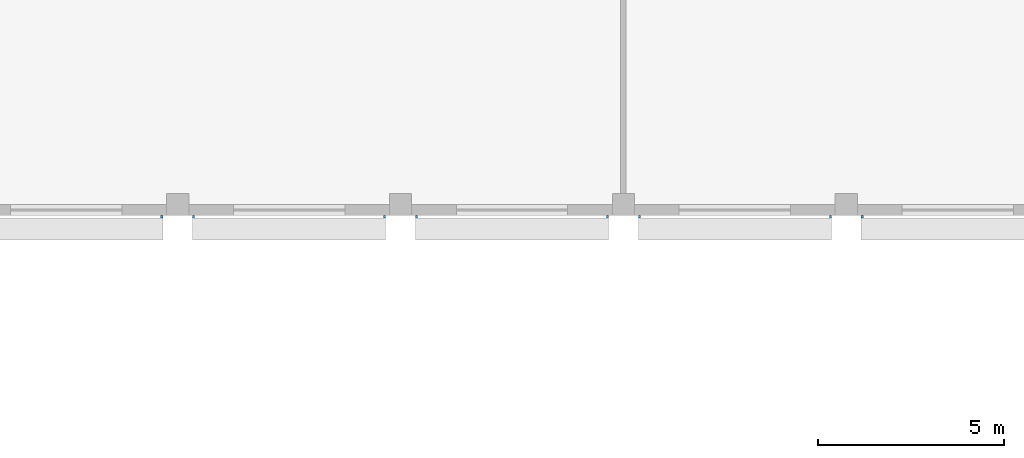
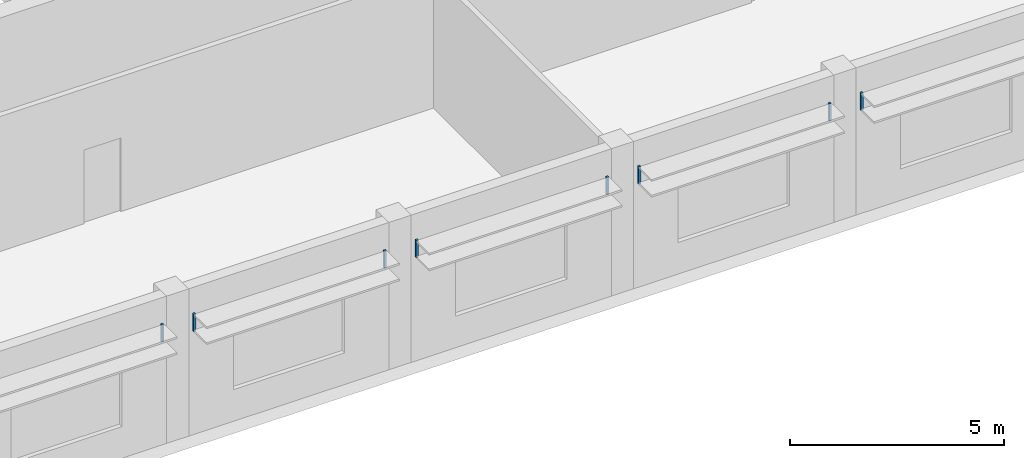
# One storey, part 36 of 47: 8 discrete accessories.
"""IFC4 building model written with IfcOpenShell, lengths in metres."""

import ifcopenshell
import ifcopenshell.guid

model = None  # the IFC model being written
_history = None  # IfcOwnerHistory: only IFC2X3 demands one
_inside = {}  # id of a spatial element -> (the spatial element, [elements in it])
_under = {}  # id of a project, library or spatial element -> (it, [spatial elements below it])
_declared = {}  # id of a project -> (the project, [libraries it declares])
_typed = {}  # id of a type object -> (the type object, [elements of that type])
_made_of = {}  # id of a material, layer set ... -> (it, [elements and type objects made of it])


def new_model(schema):
    """Start an empty IFC model of exactly this schema.

    Asked for "IFC4X3", IfcOpenShell would pick the latest addendum, in which some entities
    have other attributes; the version numbers below select the first issue.
    IFC2X3 requires an IfcOwnerHistory on every rooted entity: one is made here for all.
    """
    global model, _history
    if schema == "IFC4X3":
        model = ifcopenshell.file(schema_version=(4, 3, 0, 0))
    else:
        model = ifcopenshell.file(schema=schema)
    _inside.clear()
    _under.clear()
    _declared.clear()
    _typed.clear()
    _made_of.clear()
    _history = None
    if model.schema == "IFC2X3":
        org = make("IfcOrganization", Name="unknown")
        user = make(
            "IfcPersonAndOrganization",
            ThePerson=make("IfcPerson", FamilyName="unknown"),
            TheOrganization=org,
        )
        app = make(
            "IfcApplication",
            ApplicationDeveloper=org,
            Version="unknown",
            ApplicationFullName="unknown",
            ApplicationIdentifier="unknown",
        )
        _history = make(
            "IfcOwnerHistory",
            OwningUser=user,
            OwningApplication=app,
            ChangeAction="ADDED",
            CreationDate=0,
        )
    return model


def make(cls, **values):
    """One entity of the class cls with the attributes given. An attribute that is None is left unset."""
    return model.create_entity(
        cls, **{name: value for name, value in values.items() if value is not None}
    )


def rooted(cls, **values):
    """An entity with a GlobalId (a new one), such as an element, a storey or a relation."""
    return make(cls, GlobalId=ifcopenshell.guid.new(), OwnerHistory=_history, **values)


def si_unit(unit_type, name, prefix=None):
    """IfcSIUnit, for example si_unit("LENGTHUNIT", "METRE", prefix="MILLI")."""
    return make("IfcSIUnit", UnitType=unit_type, Prefix=prefix, Name=name)


def assignment(units):
    """IfcUnitAssignment: the units of a project."""
    return None if units is None else make("IfcUnitAssignment", Units=units)


def point(xyz):
    """IfcCartesianPoint."""
    return None if xyz is None else make("IfcCartesianPoint", Coordinates=xyz)


def direction(xyz):
    """IfcDirection."""
    return None if xyz is None else make("IfcDirection", DirectionRatios=xyz)


def frame(location, z_axis=None, x_axis=None):
    """IfcAxis2Placement3D, a coordinate frame: its origin and axes. An axis left out is left unset."""
    return make(
        "IfcAxis2Placement3D",
        Location=point(location),
        Axis=direction(z_axis),
        RefDirection=direction(x_axis),
    )


def frame_2d(location, x_axis=None):
    """IfcAxis2Placement2D, a coordinate frame in the plane: its origin and x axis."""
    return make(
        "IfcAxis2Placement2D", Location=point(location), RefDirection=direction(x_axis)
    )


def origin():
    """The frame at (0, 0, 0) with its axes left unset."""
    return frame((0.0, 0.0, 0.0))


def origin_2d():
    """The frame at (0, 0) in the plane with its x axis left unset."""
    return frame_2d((0.0, 0.0))


def place(relative_to, where):
    """IfcLocalPlacement: puts the frame where relative to a parent placement (None: the world)."""
    return make(
        "IfcLocalPlacement", PlacementRelTo=relative_to, RelativePlacement=where
    )


def context(
    kind, dimensions, precision=None, world=None, true_north=None, identifier=None
):
    """IfcGeometricRepresentationContext, for example the 3D "Model" context."""
    return make(
        "IfcGeometricRepresentationContext",
        ContextIdentifier=identifier,
        ContextType=kind,
        CoordinateSpaceDimension=dimensions,
        Precision=precision,
        WorldCoordinateSystem=world,
        TrueNorth=true_north,
    )


def subcontext(parent, identifier, kind, view, scale=None):
    """IfcGeometricRepresentationSubContext, for example "Body" below "Model"."""
    return make(
        "IfcGeometricRepresentationSubContext",
        ContextIdentifier=identifier,
        ContextType=kind,
        ParentContext=parent,
        TargetScale=scale,
        TargetView=view,
    )


def project(units=None, contexts=None):
    """IfcProject with its units and contexts."""
    return rooted(
        "IfcProject",
        Name="project",
        RepresentationContexts=contexts,
        UnitsInContext=assignment(units),
    )


def spatial(cls, under=None, at=None, **own):
    """A site, building, storey or space (cls), placed at a placement, below another one or the project."""
    s = rooted(cls, ObjectPlacement=at, **own)
    if under is not None:
        _under.setdefault(under.id(), (under, []))[1].append(s)
    return s


def profile(cls, at=None, kind="AREA", **sizes):
    """A parametric profile (cls). Its sizes go by their IFC names, for example OverallWidth=200.0."""
    return make(cls, ProfileType=kind, Position=at, **sizes)


def rectangle(**sizes):
    """IfcRectangleProfileDef."""
    return profile("IfcRectangleProfileDef", **sizes)


def extrude(swept, where, along, depth):
    """IfcExtrudedAreaSolid: the profile swept, set in the frame where, extruded along a direction by depth."""
    return make(
        "IfcExtrudedAreaSolid",
        SweptArea=swept,
        Position=where,
        ExtrudedDirection=direction(along),
        Depth=depth,
    )


def shape(context_of_items, identifier, shape_type, items):
    """IfcShapeRepresentation: the items that make up one representation, for example the "Body"."""
    return make(
        "IfcShapeRepresentation",
        ContextOfItems=context_of_items,
        RepresentationIdentifier=identifier,
        RepresentationType=shape_type,
        Items=items,
    )


def material(Name=None, Category=None):
    """IfcMaterial."""
    return make("IfcMaterial", Name=Name, Category=Category)


def made_of(thing, what):
    """Note that an element or type object is made of a material, layer set ...; save() writes the relation."""
    if what is not None:
        _made_of.setdefault(what.id(), (what, []))[1].append(thing)
    return thing


def type_object(cls, material=None, **own):
    """A type object (cls), such as IfcWallType, which elements share."""
    return made_of(rooted(cls, **own), material)


def element(
    cls,
    number,
    at=None,
    inside=None,
    cuts=None,
    type_object=None,
    material=None,
    context=None,
    identifier="Body",
    shape_type=None,
    held_by="IfcProductDefinitionShape",
    body=None,
    shapes=None,
    **own,
):
    """One element of the class cls, such as IfcWall. Its Tag is "e" and its number.

    at: its placement. inside: the storey or other place that contains it. cuts: it is an
    opening in that element (IfcRelVoidsElement). A single representation is given by context,
    identifier, shape_type and body (its items); several are given by shapes. held_by: the class
    of the entity that holds the representations. save() writes the other relations.
    """
    e = rooted(cls, Tag="e%d" % number, ObjectPlacement=at, **own)
    if body is not None:
        shapes = [shape(context, identifier, shape_type, body)]
    if shapes is not None:
        e.Representation = make(held_by, Representations=shapes)
    if inside is not None:
        _inside.setdefault(inside.id(), (inside, []))[1].append(e)
    if cuts is not None:
        rooted(
            "IfcRelVoidsElement", RelatingBuildingElement=cuts, RelatedOpeningElement=e
        )
    if type_object is not None:
        _typed.setdefault(type_object.id(), (type_object, []))[1].append(e)
    return made_of(e, material)


def aggregate(whole, parts):
    """IfcRelAggregates: a whole, such as a stair, and the parts it consists of."""
    return rooted("IfcRelAggregates", RelatingObject=whole, RelatedObjects=parts)


def save(model, path):
    """Write the relations noted so far, then the file.

    IfcRelAggregates (storeys below a building ...), IfcRelContainedInSpatialStructure (elements
    in a storey), IfcRelDefinesByType, IfcRelAssociatesMaterial and IfcRelDeclares: one each for
    every whole, place, type object, material and project.
    """
    for whole, parts in _under.values():
        aggregate(whole, parts)
    for where, things in _inside.values():
        rooted(
            "IfcRelContainedInSpatialStructure",
            RelatedElements=things,
            RelatingStructure=where,
        )
    for kind, things in _typed.values():
        rooted("IfcRelDefinesByType", RelatedObjects=things, RelatingType=kind)
    for what, things in _made_of.values():
        rooted("IfcRelAssociatesMaterial", RelatedObjects=things, RelatingMaterial=what)
    for by, libraries in _declared.values():
        rooted("IfcRelDeclares", RelatingContext=by, RelatedDefinitions=libraries)
    model.write(path)


model = new_model("IFC4")

# Units and contexts
model_context = context("Model", 3, precision=1e-05, world=origin(), true_north=direction((0.0, 1.0)))
body_context = subcontext(model_context, "Body", "Model", "MODEL_VIEW")
ifc_project = project(units=[si_unit("LENGTHUNIT", "METRE"), si_unit("AREAUNIT", "SQUARE_METRE"), si_unit("VOLUMEUNIT", "CUBIC_METRE"), si_unit("PLANEANGLEUNIT", "RADIAN"), si_unit("MASSUNIT", "GRAM", prefix="KILO")], contexts=[model_context])

# Site, building, storey
site_placement = place(None, origin())
site = spatial("IfcSite", under=ifc_project, at=site_placement, CompositionType="ELEMENT")
building_placement = place(site_placement, origin())
building = spatial("IfcBuilding", under=site, at=building_placement, Name="Nakaniwa Court", CompositionType="ELEMENT")
storey_placement = place(building_placement, frame((0.0, 0.0, 15.60009765625)))
storey = spatial("IfcBuildingStorey", under=building, at=storey_placement, Name="L03", CompositionType="ELEMENT", Elevation=15.60009765625)

# Discrete accessories
ifc_material = material(Name="Black powder-coated steel bracket S275", Category="steel")
discrete_accessory_type = type_object("IfcDiscreteAccessoryType", Name="Hall black metal louvre bracket", PredefinedType="BRACKET", material=ifc_material)
for number, where, z_axis, x_axis, name in (
    (1, (194.429931640625, 55.969970703125, 2.974853515625), (0.0, 0.0, 1.0), (-1.0, 0.0, 0.0), "Louvre bracket L03 034.2"),
    (2, (193.570068359375, 55.969970703125, 2.974853515625), (0.0, 0.0, 1.0), (-1.0, 0.0, 0.0), "Louvre bracket L03 035.1"),
    (3, (188.429931640625, 55.969970703125, 2.974853515625), (0.0, 0.0, 1.0), (-1.0, 0.0, 0.0), "Louvre bracket L03 035.2"),
    (4, (187.570068359375, 55.969970703125, 2.974853515625), (0.0, 0.0, 1.0), (-1.0, 0.0, 0.0), "Louvre bracket L03 036.1"),
    (5, (182.429931640625, 55.969970703125, 2.974853515625), (0.0, 0.0, 1.0), (-1.0, 0.0, 0.0), "Louvre bracket L03 036.2"),
    (6, (181.570068359375, 55.969970703125, 2.974853515625), (0.0, 0.0, 1.0), (-1.0, 0.0, 0.0), "Louvre bracket L03 037.1"),
    (7, (176.429931640625, 55.969970703125, 2.974853515625), (0.0, 0.0, 1.0), (-1.0, 0.0, 0.0), "Louvre bracket L03 037.2"),
    (8, (175.570068359375, 55.969970703125, 2.974853515625), (0.0, 0.0, 1.0), (-1.0, 0.0, 0.0), "Louvre bracket L03 038.1"),
):
    element("IfcDiscreteAccessory", number, at=place(storey_placement, frame(where, z_axis=z_axis, x_axis=x_axis)), inside=storey, type_object=discrete_accessory_type, Name=name, PredefinedType="BRACKET", context=body_context, shape_type="SweptSolid", body=[
        extrude(rectangle(XDim=0.06005859375, YDim=0.06005859375, at=origin_2d()), origin(), (0.0, 0.0, 1.0), 0.5),
    ])

save(model, "model.ifc")
